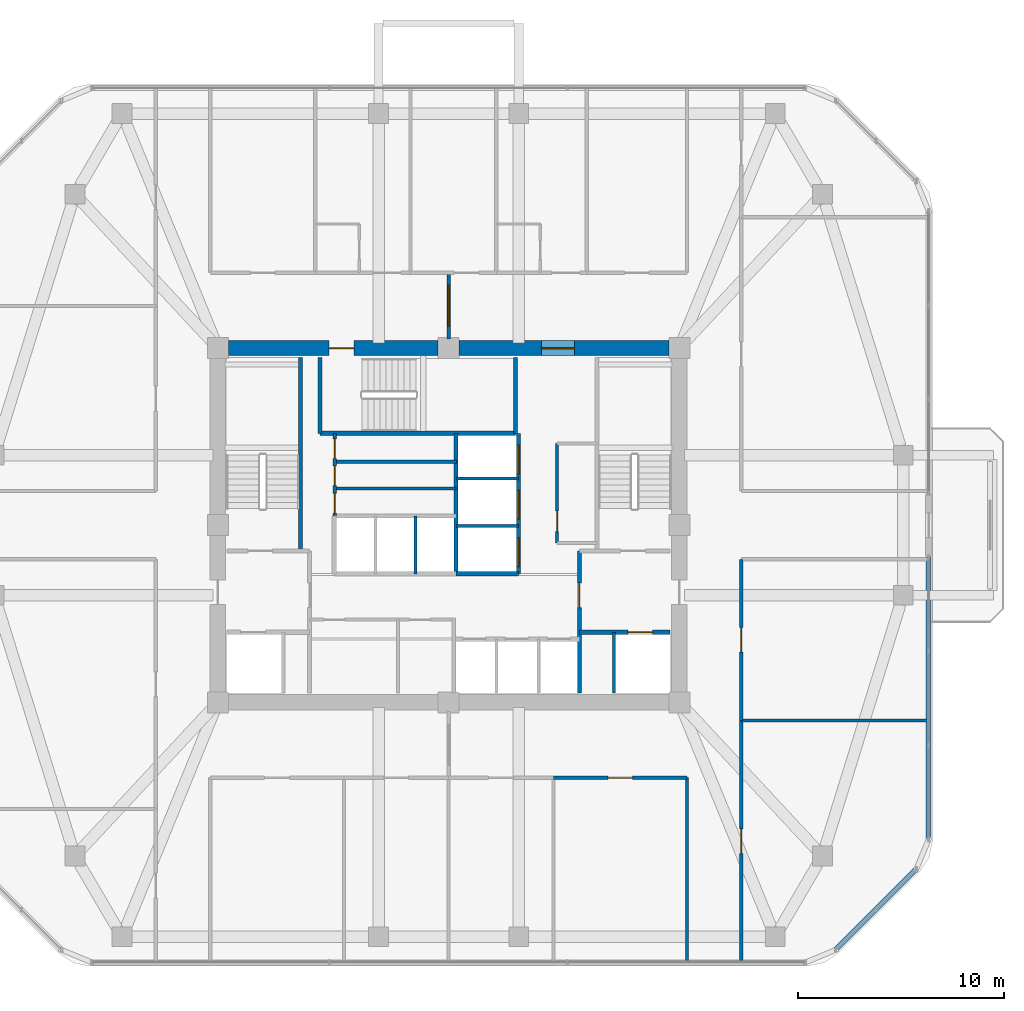
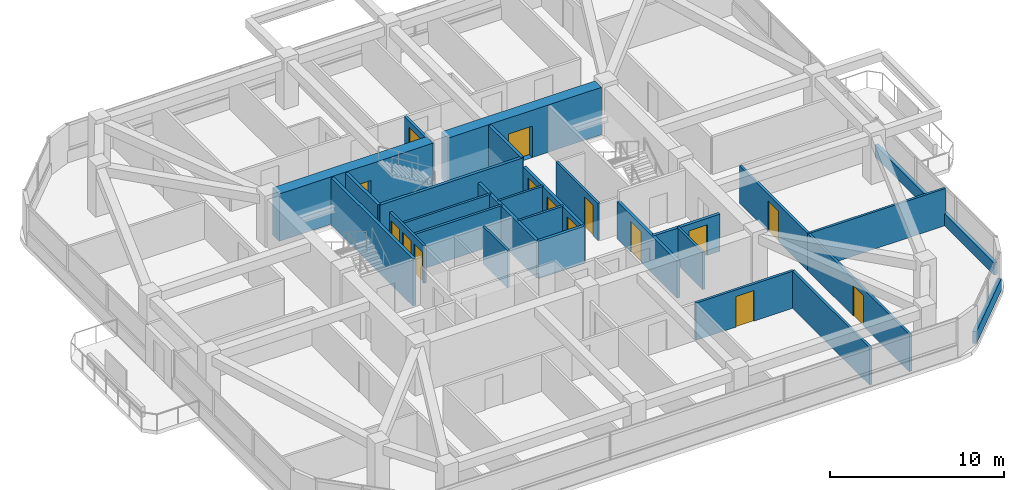
# One storey, part 9 of 13: 27 walls, 15 doors, 15 openings.
"""IFC4 building model written with IfcOpenShell, lengths in metres."""

from ifc_helpers import new_model, si_unit, derived_unit, direction, frame, frame_2d, origin, place, context, subcontext, project, spatial, rectangle, extrude, material, layer, layer_set, type_object, element, fill, save


model = new_model("IFC4")

# Units and contexts
model_context = context("Model", 3, precision=1e-05, world=origin(), true_north=direction((0.0, 1.0)))
body_context = subcontext(model_context, "Body", "Model", "MODEL_VIEW")
ifc_project = project(units=[si_unit("LENGTHUNIT", "METRE"), si_unit("AREAUNIT", "SQUARE_METRE"), si_unit("VOLUMEUNIT", "CUBIC_METRE"), si_unit("PLANEANGLEUNIT", "RADIAN"), si_unit("MASSUNIT", "GRAM", prefix="KILO"), derived_unit("THERMALTRANSMITTANCEUNIT", [(si_unit("POWERUNIT", "WATT"), 1), (si_unit("LENGTHUNIT", "METRE"), -2), (si_unit("THERMODYNAMICTEMPERATUREUNIT", "KELVIN"), -1)])], contexts=[model_context])

# Site, building, storey
site_placement = place(None, origin())
site = spatial("IfcSite", under=ifc_project, at=site_placement, CompositionType="ELEMENT")
building_placement = place(site_placement, origin())
building = spatial("IfcBuilding", under=site, at=building_placement, Name="Koralith Skygarden Medical Center", CompositionType="ELEMENT")
storey_placement = place(building_placement, frame((0.0, 0.0, 142.02001953125)))
storey = spatial("IfcBuildingStorey", under=building, at=storey_placement, Name="L36", CompositionType="ELEMENT", Elevation=142.02001953125)

# Wall, opening, door
ifc_material_1 = material(Name="Gypsum Board Partition")
ifc_layer_1 = layer(ifc_material_1, 0.14990234375)
ifc_layer_set_1 = layer_set([ifc_layer_1], Name="Gypsum Board Partition")
wall_type_1 = type_object("IfcWallType", Name="Clinical Acoustic Partition 150", PredefinedType="PARTITIONING", material=ifc_layer_set_1)
wall_1_placement = place(storey_placement, frame((42.27001953125, 25.0400390625, 0.0), z_axis=(0.0, 0.0, 1.0), x_axis=(0.0, 1.0, 0.0)))
wall_1 = element("IfcWall", 1, at=wall_1_placement, inside=storey, type_object=wall_type_1, Name="L36 Clinical Acoustic Partition 150 W-CORE-L36-ESUB-W", PredefinedType="PARTITIONING", context=body_context, shape_type="SweptSolid", body=[
    extrude(rectangle(XDim=4.820068359375, YDim=0.14990234375, at=frame_2d((2.41015625, 0.0))), origin(), (0.0, 0.0, 1.0), 2.60986328125),
])
opening_1_placement = place(wall_1_placement, frame((0.550048828125, 0.0, 0.0)))
opening_1 = element("IfcOpeningElement", 2, at=opening_1_placement, cuts=wall_1, Name="Opening D-SUP", PredefinedType="OPENING", context=body_context, shape_type="SweptSolid", body=[
    extrude(rectangle(XDim=1.0, YDim=2.14990234375, at=frame_2d((0.5, 1.074951171875))), frame((0.0, 0.0849609375, 0.0), z_axis=(0.0, -1.0, 0.0), x_axis=(1.0, 0.0, 0.0)), (0.0, 0.0, 1.0), 0.169921875),
])
ifc_material_2 = material(Name="Aluminium 6063-T6", Category="aluminium")
door_type_1 = type_object("IfcDoorType", Name="Clinical Support Door D-SUP 1000", OperationType="NOTDEFINED", PredefinedType="DOOR", material=ifc_material_2)
door_1_placement = place(opening_1_placement, origin())
door_1 = element("IfcDoor", 3, at=door_1_placement, inside=storey, type_object=door_type_1, Name="L36 Core Equipment Store Door", OperationType="SINGLE_SWING_LEFT", OverallHeight=2.14990234375, OverallWidth=1.0, PredefinedType="DOOR", context=body_context, shape_type="SweptSolid", body=[
    extrude(rectangle(XDim=1.0, YDim=2.14990234375, at=frame_2d((0.5, 1.074951171875))), frame((0.0, 0.02490234375, 0.0), z_axis=(0.0, -1.0, 0.0), x_axis=(1.0, 0.0, 0.0)), (0.0, 0.0, 1.0), 0.050048828125),
])
fill(opening_1, door_1)

# Walls
wall_2_placement = place(storey_placement, frame((31.47998046875, 28.97998046875, 0.0), z_axis=(0.0, 0.0, 1.0), x_axis=(1.0, 0.0, 0.0)))
element("IfcWall", 4, at=wall_2_placement, inside=storey, type_object=wall_type_1, Name="L36 Clinical Acoustic Partition 150 W-CORE-L36-FLEX-H1B", PredefinedType="PARTITIONING", context=body_context, shape_type="SweptSolid", body=[
    extrude(rectangle(XDim=5.89013671875, YDim=0.14990234375, at=frame_2d((2.945068359375, 0.0))), origin(), (0.0, 0.0, 1.0), 2.60986328125),
])
wall_3_placement = place(storey_placement, frame((51.2099609375, 16.424072265625, 0.0), z_axis=(0.0, 0.0, 1.0), x_axis=(1.0, 0.0, 0.0)))
element("IfcWall", 5, at=wall_3_placement, inside=storey, type_object=wall_type_1, Name="L36 Clinical Acoustic Partition 150 W-PART-L36-ES-01", PredefinedType="PARTITIONING", context=body_context, shape_type="SweptSolid", body=[
    extrude(rectangle(XDim=9.073974609375, YDim=0.14990234375, at=frame_2d((4.537109375, 0.0))), origin(), (0.0, 0.0, 1.0), 2.60986328125),
])
ifc_layer_2 = layer(ifc_material_1, 0.1650390625)
ifc_layer_set_2 = layer_set([ifc_layer_2], Name="Gypsum Board Partition")
wall_type_2 = type_object("IfcWallType", Name="Clinical Corridor Partition 165", PredefinedType="PARTITIONING", material=ifc_layer_set_2)
wall_4_placement = place(storey_placement, frame((48.570068359375, 4.699951171875, 0.0), z_axis=(0.0, 0.0, 1.0), x_axis=(0.0, 1.0, 0.0)))
element("IfcWall", 6, at=wall_4_placement, inside=storey, type_object=wall_type_2, Name="L36 Clinical Corridor Partition 165 W-HCOR-L36-SE", PredefinedType="PARTITIONING", context=body_context, shape_type="SweptSolid", body=[
    extrude(rectangle(XDim=8.93994140625, YDim=0.1650390625, at=frame_2d((4.469970703125, 0.0))), origin(), (0.0, 0.0, 1.0), 2.60986328125),
])

# Wall, opening, door
wall_5_placement = place(storey_placement, frame((42.0859375, 13.639892578125, 0.0), z_axis=(0.0, 0.0, 1.0), x_axis=(1.0, 0.0, 0.0)))
wall_5 = element("IfcWall", 7, at=wall_5_placement, inside=storey, type_object=wall_type_2, Name="L36 Clinical Corridor Partition 165 W-CORR-L36-S-04", PredefinedType="PARTITIONING", context=body_context, shape_type="SweptSolid", body=[
    extrude(rectangle(XDim=6.484130859375, YDim=0.1650390625, at=frame_2d((3.2421875, 0.0))), origin(), (0.0, 0.0, 1.0), 2.60986328125),
])
opening_2_placement = place(wall_5_placement, frame((2.64208984375, 0.0, 0.0)))
opening_2 = element("IfcOpeningElement", 8, at=opening_2_placement, cuts=wall_5, Name="Opening D-CLN", PredefinedType="OPENING", context=body_context, shape_type="SweptSolid", body=[
    extrude(rectangle(XDim=1.199951171875, YDim=2.14990234375, at=frame_2d((0.60009765625, 1.074951171875))), frame((0.0, 0.092529296875, 0.0), z_axis=(0.0, -1.0, 0.0), x_axis=(1.0, 0.0, 0.0)), (0.0, 0.0, 1.0), 0.18505859375),
])
door_type_2 = type_object("IfcDoorType", Name="Clinical Corridor Door D-CLN 1200", OperationType="NOTDEFINED", PredefinedType="DOOR", material=ifc_material_2)
door_2_placement = place(opening_2_placement, frame((1.199951171875, 0.0, 0.0), z_axis=(0.0, 0.0, 1.0), x_axis=(-1.0, 0.0, 0.0)))
door_2 = element("IfcDoor", 9, at=door_2_placement, inside=storey, type_object=door_type_2, Name="L36 Acute Nurse Station 09 Door", OperationType="SINGLE_SWING_RIGHT", OverallHeight=2.14990234375, OverallWidth=1.199951171875, PredefinedType="DOOR", context=body_context, shape_type="SweptSolid", body=[
    extrude(rectangle(XDim=1.199951171875, YDim=2.14990234375, at=frame_2d((0.60009765625, 1.074951171875))), frame((0.0, 0.02490234375, 0.0), z_axis=(0.0, -1.0, 0.0), x_axis=(1.0, 0.0, 0.0)), (0.0, 0.0, 1.0), 0.050048828125),
])
fill(opening_2, door_2)

wall_6_placement = place(storey_placement, frame((51.2099609375, 4.699951171875, 0.0), z_axis=(0.0, 0.0, 1.0), x_axis=(0.0, 1.0, 0.0)))
wall_6 = element("IfcWall", 10, at=wall_6_placement, inside=storey, type_object=wall_type_2, Name="L36 Clinical Corridor Partition 165 W-CORR-L36-ES-01", PredefinedType="PARTITIONING", context=body_context, shape_type="SweptSolid", body=[
    extrude(rectangle(XDim=11.72412109375, YDim=0.1650390625, at=frame_2d((5.862060546875, 0.0))), origin(), (0.0, 0.0, 1.0), 2.60986328125),
])
opening_3_placement = place(wall_6_placement, frame((5.261962890625, 0.0, 0.0)))
opening_3 = element("IfcOpeningElement", 11, at=opening_3_placement, cuts=wall_6, Name="Opening D-CLN", PredefinedType="OPENING", context=body_context, shape_type="SweptSolid", body=[
    extrude(rectangle(XDim=1.199951171875, YDim=2.14990234375, at=frame_2d((0.60009765625, 1.074951171875))), frame((0.0, 0.092529296875, 0.0), z_axis=(0.0, -1.0, 0.0), x_axis=(1.0, 0.0, 0.0)), (0.0, 0.0, 1.0), 0.18505859375),
])
door_3_placement = place(opening_3_placement, origin())
door_3 = element("IfcDoor", 12, at=door_3_placement, inside=storey, type_object=door_type_2, Name="L36 Clinical Consultation Office 14 Door", OperationType="SINGLE_SWING_LEFT", OverallHeight=2.14990234375, OverallWidth=1.199951171875, PredefinedType="DOOR", context=body_context, shape_type="SweptSolid", body=[
    extrude(rectangle(XDim=1.199951171875, YDim=2.14990234375, at=frame_2d((0.60009765625, 1.074951171875))), frame((0.0, 0.02490234375, 0.0), z_axis=(0.0, -1.0, 0.0), x_axis=(1.0, 0.0, 0.0)), (0.0, 0.0, 1.0), 0.050048828125),
])
fill(opening_3, door_3)

wall_7_placement = place(storey_placement, frame((51.2099609375, 16.424072265625, 0.0), z_axis=(0.0, 0.0, 1.0), x_axis=(0.0, 1.0, 0.0)))
wall_7 = element("IfcWall", 13, at=wall_7_placement, inside=storey, type_object=wall_type_2, Name="L36 Clinical Corridor Partition 165 W-CORR-L36-ES-02", PredefinedType="PARTITIONING", context=body_context, shape_type="SweptSolid", body=[
    extrude(rectangle(XDim=7.81591796875, YDim=0.1650390625, at=frame_2d((3.907958984375, 0.0))), origin(), (0.0, 0.0, 1.0), 2.60986328125),
])
opening_4_placement = place(wall_7_placement, frame((3.30810546875, 0.0, 0.0)))
opening_4 = element("IfcOpeningElement", 14, at=opening_4_placement, cuts=wall_7, Name="Opening D-CLN", PredefinedType="OPENING", context=body_context, shape_type="SweptSolid", body=[
    extrude(rectangle(XDim=1.199951171875, YDim=2.14990234375, at=frame_2d((0.60009765625, 1.074951171875))), frame((0.0, 0.092529296875, 0.0), z_axis=(0.0, -1.0, 0.0), x_axis=(1.0, 0.0, 0.0)), (0.0, 0.0, 1.0), 0.18505859375),
])
door_4_placement = place(opening_4_placement, origin())
door_4 = element("IfcDoor", 15, at=door_4_placement, inside=storey, type_object=door_type_2, Name="L36 Procedure and Minor Treatment Room 15 Door", OperationType="SINGLE_SWING_RIGHT", OverallHeight=2.14990234375, OverallWidth=1.199951171875, PredefinedType="DOOR", context=body_context, shape_type="SweptSolid", body=[
    extrude(rectangle(XDim=1.199951171875, YDim=2.14990234375, at=frame_2d((0.60009765625, 1.074951171875))), frame((0.0, 0.02490234375, 0.0), z_axis=(0.0, -1.0, 0.0), x_axis=(1.0, 0.0, 0.0)), (0.0, 0.0, 1.0), 0.050048828125),
])
fill(opening_4, door_4)

ifc_layer_3 = layer(ifc_material_1, 0.199951171875)
ifc_layer_set_3 = layer_set([ifc_layer_3], Name="Gypsum Board Partition")
wall_type_3 = type_object("IfcWallType", Name="Fire Shaft Wall 200", PredefinedType="SOLIDWALL", material=ifc_layer_set_3)
wall_8_placement = place(storey_placement, frame((43.35009765625, 20.699951171875, 0.0), z_axis=(0.0, 0.0, 1.0), x_axis=(1.0, 0.0, 0.0)))
wall_8 = element("IfcWall", 16, at=wall_8_placement, inside=storey, type_object=wall_type_3, Name="L36 Fire Shaft Wall 200 W-CORE-L36-FF2-N", PredefinedType="SOLIDWALL", context=body_context, shape_type="SweptSolid", body=[
    extrude(rectangle(XDim=4.39990234375, YDim=0.199951171875, at=frame_2d((2.199951171875, 0.0))), origin(), (0.0, 0.0, 1.0), 2.60986328125),
])
opening_5_placement = place(wall_8_placement, frame((2.35009765625, 0.0, 0.0)))
opening_5 = element("IfcOpeningElement", 17, at=opening_5_placement, cuts=wall_8, Name="Opening LD-FF", PredefinedType="OPENING", context=body_context, shape_type="SweptSolid", body=[
    extrude(rectangle(XDim=1.199951171875, YDim=2.14990234375, at=frame_2d((0.60009765625, 1.074951171875))), frame((0.0, 0.10986328125, 0.0), z_axis=(0.0, -1.0, 0.0), x_axis=(1.0, 0.0, 0.0)), (0.0, 0.0, 1.0), 0.219970703125),
])
ifc_material_3 = material(Name="Steel ASTM A500 Grade C", Category="steel")
door_type_3 = type_object("IfcDoorType", Name="Fire Lift Sliding Landing Door LD-FF 1200", OperationType="NOTDEFINED", PredefinedType="DOOR", material=ifc_material_3)
door_5_placement = place(opening_5_placement, origin())
door_5 = element("IfcDoor", 18, at=door_5_placement, inside=storey, type_object=door_type_3, Name="L36 Fire Service Elevator FF2 Landing Door", OperationType="SLIDING_TO_RIGHT", OverallHeight=2.14990234375, OverallWidth=1.199951171875, PredefinedType="DOOR", context=body_context, shape_type="SweptSolid", body=[
    extrude(rectangle(XDim=1.199951171875, YDim=2.14990234375, at=frame_2d((0.60009765625, 1.074951171875))), frame((0.0, 0.02490234375, 0.0), z_axis=(0.0, -1.0, 0.0), x_axis=(1.0, 0.0, 0.0)), (0.0, 0.0, 1.0), 0.050048828125),
])
fill(opening_5, door_5)

wall_9_placement = place(storey_placement, frame((43.35009765625, 17.75, 0.0), z_axis=(0.0, 0.0, 1.0), x_axis=(0.0, 1.0, 0.0)))
wall_9 = element("IfcWall", 19, at=wall_9_placement, inside=storey, type_object=wall_type_3, Name="L36 Fire Shaft Wall 200 W-CORE-L36-FSAEE-W", PredefinedType="SOLIDWALL", context=body_context, shape_type="SweptSolid", body=[
    extrude(rectangle(XDim=6.89990234375, YDim=0.199951171875, at=frame_2d((3.449951171875, 0.0))), origin(), (0.0, 0.0, 1.0), 2.60986328125),
])
opening_6_placement = place(wall_9_placement, frame((4.14990234375, 0.0, 0.0)))
opening_6 = element("IfcOpeningElement", 20, at=opening_6_placement, cuts=wall_9, Name="Opening D-ST60", PredefinedType="OPENING", context=body_context, shape_type="SweptSolid", body=[
    extrude(rectangle(XDim=1.199951171875, YDim=2.14990234375, at=frame_2d((0.60009765625, 1.074951171875))), frame((0.0, 0.10986328125, 0.0), z_axis=(0.0, -1.0, 0.0), x_axis=(1.0, 0.0, 0.0)), (0.0, 0.0, 1.0), 0.219970703125),
])
door_type_4 = type_object("IfcDoorType", Name="Smokeproof Stair Fire Door FD60S 1200", OperationType="NOTDEFINED", PredefinedType="DOOR", material=ifc_material_3)
door_6_placement = place(opening_6_placement, frame((1.199951171875, 0.0, 0.0), z_axis=(0.0, 0.0, 1.0), x_axis=(-1.0, 0.0, 0.0)))
door_6 = element("IfcDoor", 21, at=door_6_placement, inside=storey, type_object=door_type_4, Name="L36 East Firefighting Lobby Inner Fire Door", OperationType="SINGLE_SWING_RIGHT", OverallHeight=2.14990234375, OverallWidth=1.199951171875, PredefinedType="DOOR", context=body_context, shape_type="SweptSolid", body=[
    extrude(rectangle(XDim=1.199951171875, YDim=2.14990234375, at=frame_2d((0.60009765625, 1.074951171875))), frame((0.0, 0.02490234375, 0.0), z_axis=(0.0, -1.0, 0.0), x_axis=(1.0, 0.0, 0.0)), (0.0, 0.0, 1.0), 0.050048828125),
])
fill(opening_6, door_6)

# Walls
wall_10_placement = place(storey_placement, frame((37.35009765625, 23.5400390625, 0.0), z_axis=(0.0, 0.0, 1.0), x_axis=(0.0, 1.0, 0.0)))
element("IfcWall", 22, at=wall_10_placement, inside=storey, type_object=wall_type_3, Name="L36 Fire Shaft Wall 200 W-CORE-L36-SV-W", PredefinedType="SOLIDWALL", context=body_context, shape_type="SweptSolid", body=[
    extrude(rectangle(XDim=6.820068359375, YDim=0.199951171875, at=frame_2d((3.41015625, 0.0))), origin(), (0.0, 0.0, 1.0), 2.60986328125),
])
wall_11_placement = place(storey_placement, frame((37.35009765625, 23.5400390625, 0.0), z_axis=(0.0, 0.0, 1.0), x_axis=(1.0, 0.0, 0.0)))
element("IfcWall", 23, at=wall_11_placement, inside=storey, type_object=wall_type_3, Name="L36 Fire Shaft Wall 200 W-CORE-L36-SV-S", PredefinedType="SOLIDWALL", context=body_context, shape_type="SweptSolid", body=[
    extrude(rectangle(XDim=3.0498046875, YDim=0.199951171875, at=frame_2d((1.52490234375, 0.0))), origin(), (0.0, 0.0, 1.0), 2.60986328125),
])

# Wall, openings, doors
wall_12_placement = place(storey_placement, frame((40.39990234375, 23.5400390625, 0.0), z_axis=(0.0, 0.0, 1.0), x_axis=(0.0, 1.0, 0.0)))
wall_12 = element("IfcWall", 24, at=wall_12_placement, inside=storey, type_object=wall_type_3, Name="L36 Fire Shaft Wall 200 W-CORE-L36-SV-E", PredefinedType="SOLIDWALL", context=body_context, shape_type="SweptSolid", body=[
    extrude(rectangle(XDim=6.820068359375, YDim=0.199951171875, at=frame_2d((3.41015625, 0.0))), origin(), (0.0, 0.0, 1.0), 2.60986328125),
])
opening_7_placement = place(wall_12_placement, frame((0.35009765625, 0.0, 0.0)))
opening_7 = element("IfcOpeningElement", 25, at=opening_7_placement, cuts=wall_12, Name="Opening LD-SV", PredefinedType="OPENING", context=body_context, shape_type="SweptSolid", body=[
    extrude(rectangle(XDim=1.39990234375, YDim=2.199951171875, at=frame_2d((0.699951171875, 1.10009765625))), frame((0.0, 0.10986328125, 0.0), z_axis=(0.0, -1.0, 0.0), x_axis=(1.0, 0.0, 0.0)), (0.0, 0.0, 1.0), 0.219970703125),
])
opening_8_placement = place(wall_12_placement, frame((2.64990234375, 0.0, 0.0)))
opening_8 = element("IfcOpeningElement", 26, at=opening_8_placement, cuts=wall_12, Name="Opening LD-SV", PredefinedType="OPENING", context=body_context, shape_type="SweptSolid", body=[
    extrude(rectangle(XDim=1.39990234375, YDim=2.199951171875, at=frame_2d((0.699951171875, 1.10009765625))), frame((0.0, 0.10986328125, 0.0), z_axis=(0.0, -1.0, 0.0), x_axis=(1.0, 0.0, 0.0)), (0.0, 0.0, 1.0), 0.219970703125),
])
opening_9_placement = place(wall_12_placement, frame((4.85009765625, 0.0, 0.0)))
opening_9 = element("IfcOpeningElement", 27, at=opening_9_placement, cuts=wall_12, Name="Opening LD-SV", PredefinedType="OPENING", context=body_context, shape_type="SweptSolid", body=[
    extrude(rectangle(XDim=1.39990234375, YDim=2.199951171875, at=frame_2d((0.699951171875, 1.10009765625))), frame((0.0, 0.10986328125, 0.0), z_axis=(0.0, -1.0, 0.0), x_axis=(1.0, 0.0, 0.0)), (0.0, 0.0, 1.0), 0.219970703125),
])
door_type_5 = type_object("IfcDoorType", Name="Bed Lift Sliding Landing Door LD-SV 1400", OperationType="NOTDEFINED", PredefinedType="DOOR", material=ifc_material_3)
door_7_placement = place(opening_7_placement, origin())
door_7 = element("IfcDoor", 28, at=door_7_placement, inside=storey, type_object=door_type_5, Name="L36 Bed Elevator BD1 Landing Door", OperationType="SLIDING_TO_LEFT", OverallHeight=2.199951171875, OverallWidth=1.39990234375, PredefinedType="DOOR", context=body_context, shape_type="SweptSolid", body=[
    extrude(rectangle(XDim=1.39990234375, YDim=2.199951171875, at=frame_2d((0.699951171875, 1.10009765625))), frame((0.0, 0.02490234375, 0.0), z_axis=(0.0, -1.0, 0.0), x_axis=(1.0, 0.0, 0.0)), (0.0, 0.0, 1.0), 0.050048828125),
])
fill(opening_7, door_7)
door_8_placement = place(opening_8_placement, origin())
door_8 = element("IfcDoor", 29, at=door_8_placement, inside=storey, type_object=door_type_5, Name="L36 Service Elevator BD2 Landing Door", OperationType="SLIDING_TO_LEFT", OverallHeight=2.199951171875, OverallWidth=1.39990234375, PredefinedType="DOOR", context=body_context, shape_type="SweptSolid", body=[
    extrude(rectangle(XDim=1.39990234375, YDim=2.199951171875, at=frame_2d((0.699951171875, 1.10009765625))), frame((0.0, 0.02490234375, 0.0), z_axis=(0.0, -1.0, 0.0), x_axis=(1.0, 0.0, 0.0)), (0.0, 0.0, 1.0), 0.050048828125),
])
fill(opening_8, door_8)
door_9_placement = place(opening_9_placement, origin())
door_9 = element("IfcDoor", 30, at=door_9_placement, inside=storey, type_object=door_type_5, Name="L36 Trauma Elevator TR1 Landing Door", OperationType="SLIDING_TO_RIGHT", OverallHeight=2.199951171875, OverallWidth=1.39990234375, PredefinedType="DOOR", context=body_context, shape_type="SweptSolid", body=[
    extrude(rectangle(XDim=1.39990234375, YDim=2.199951171875, at=frame_2d((0.699951171875, 1.10009765625))), frame((0.0, 0.02490234375, 0.0), z_axis=(0.0, -1.0, 0.0), x_axis=(1.0, 0.0, 0.0)), (0.0, 0.0, 1.0), 0.050048828125),
])
fill(opening_9, door_9)

# Wall, opening, door
ifc_layer_4 = layer(ifc_material_1, 0.179931640625)
ifc_layer_set_4 = layer_set([ifc_layer_4], Name="Gypsum Board Partition")
wall_type_4 = type_object("IfcWallType", Name="Group I-2 Smoke Barrier Wall 180", PredefinedType="PARTITIONING", material=ifc_layer_set_4)
wall_13_placement = place(storey_placement, frame((37.0, 34.949951171875, 0.0), z_axis=(0.0, 0.0, 1.0), x_axis=(0.0, 1.0, 0.0)))
wall_13 = element("IfcWall", 31, at=wall_13_placement, inside=storey, type_object=wall_type_4, Name="L36 Group I-2 Smoke Barrier Wall 180 W-SMK-L36-N", PredefinedType="PARTITIONING", context=body_context, shape_type="SweptSolid", body=[
    extrude(rectangle(XDim=3.2099609375, YDim=0.179931640625, at=frame_2d((1.60498046875, 0.0))), origin(), (0.0, 0.0, 1.0), 2.60986328125),
])
opening_10_placement = place(wall_13_placement, frame((0.60498046875, 0.0, 0.0)))
opening_10 = element("IfcOpeningElement", 32, at=opening_10_placement, cuts=wall_13, Name="Opening D-SMK", PredefinedType="OPENING", context=body_context, shape_type="SweptSolid", body=[
    extrude(rectangle(XDim=2.0, YDim=2.199951171875, at=frame_2d((1.0, 1.10009765625))), frame((0.0, 0.099853515625, 0.0), z_axis=(0.0, -1.0, 0.0), x_axis=(1.0, 0.0, 0.0)), (0.0, 0.0, 1.0), 0.199951171875),
])
door_type_6 = type_object("IfcDoorType", Name="Cross-Corridor Double Smoke Door FD60S 2000", OperationType="NOTDEFINED", PredefinedType="DOOR", material=ifc_material_3)
door_10_placement = place(opening_10_placement, origin())
door_10 = element("IfcDoor", 33, at=door_10_placement, inside=storey, type_object=door_type_6, Name="L36 N Smoke Compartment Cross-Corridor Door", OperationType="DOUBLE_DOOR_SINGLE_SWING", OverallHeight=2.199951171875, OverallWidth=2.0, PredefinedType="DOOR", context=body_context, shape_type="SweptSolid", body=[
    extrude(rectangle(XDim=2.0, YDim=2.199951171875, at=frame_2d((1.0, 1.10009765625))), frame((0.0, 0.02490234375, 0.0), z_axis=(0.0, -1.0, 0.0), x_axis=(1.0, 0.0, 0.0)), (0.0, 0.0, 1.0), 0.050048828125),
])
fill(opening_10, door_10)

# Walls
ifc_material_4 = material(Name="Warm Oolitic Limestone Cladding", Category="masonry")
ifc_layer_5 = layer(ifc_material_4, 0.239990234375)
ifc_layer_set_5 = layer_set([ifc_layer_5], Name="Warm Oolitic Limestone Cladding")
wall_type_5 = type_object("IfcWallType", Name="Limestone Spandrel Sill Backup Wall 240", PredefinedType="SOLIDWALL", material=ifc_layer_set_5)
wall_14_placement = place(storey_placement, frame((55.780029296875, 5.281005859375, 0.0), z_axis=(0.0, 0.0, 1.0), x_axis=(0.707084777957, 0.707128783731, 0.0)))
element("IfcWall", 34, at=wall_14_placement, inside=storey, type_object=wall_type_5, Name="L36 Sill Spandrel SE", PredefinedType="SOLIDWALL", context=body_context, shape_type="SweptSolid", body=[
    extrude(rectangle(XDim=5.5478515625, YDim=0.239990234375, at=frame_2d((2.77392578125, 0.0))), origin(), (0.0, 0.0, 1.0), 0.85009765625),
])
wall_15_placement = place(storey_placement, frame((60.303955078125, 10.655029296875, 0.0), z_axis=(0.0, 0.0, 1.0), x_axis=(0.0, 1.0, 0.0)))
element("IfcWall", 35, at=wall_15_placement, inside=storey, type_object=wall_type_5, Name="L36 Sill Spandrel E-L", PredefinedType="SOLIDWALL", context=body_context, shape_type="SweptSolid", body=[
    extrude(rectangle(XDim=13.705078125, YDim=0.239990234375, at=frame_2d((6.8525390625, 0.0))), origin(), (0.0, 0.0, 1.0), 0.85009765625),
])

# Wall, opening, door
ifc_material_5 = material(Name="Concrete C70/85", Category="concrete")
ifc_layer_6 = layer(ifc_material_5, 0.75)
ifc_layer_set_6 = layer_set([ifc_layer_6], Name="Concrete C70/85")
wall_type_6 = type_object("IfcWallType", Name="Mid Core Shear Wall 750", PredefinedType="SHEAR", material=ifc_layer_set_6)
wall_16_placement = place(storey_placement, frame((47.695068359375, 34.5, 0.0), z_axis=(0.0, 0.0, 1.0), x_axis=(-1.0, 0.0, 0.0)))
wall_16 = element("IfcWall", 36, at=wall_16_placement, inside=storey, type_object=wall_type_6, Name="L36 Core Shear Wall Segment 5", PredefinedType="SHEAR", context=body_context, shape_type="SweptSolid", body=[
    extrude(rectangle(XDim=10.190185546875, YDim=0.75, at=frame_2d((5.09521484375, 0.0))), origin(), (0.0, 0.0, 1.0), 3.320068359375),
])
opening_11_placement = place(wall_16_placement, frame((4.594970703125, 0.0, 0.0)))
opening_11 = element("IfcOpeningElement", 37, at=opening_11_placement, cuts=wall_16, Name="Opening D-DBL", PredefinedType="OPENING", context=body_context, shape_type="SweptSolid", body=[
    extrude(rectangle(XDim=1.60009765625, YDim=2.199951171875, at=frame_2d((0.800048828125, 1.10009765625))), frame((0.0, 0.385009765625, 0.0), z_axis=(0.0, -1.0, 0.0), x_axis=(1.0, 0.0, 0.0)), (0.0, 0.0, 1.0), 0.77001953125),
])
door_type_7 = type_object("IfcDoorType", Name="Double Clinical Suite Door D-DBL 1600", OperationType="NOTDEFINED", PredefinedType="DOOR", material=ifc_material_2)
door_11_placement = place(opening_11_placement, frame((1.60009765625, 0.0, 0.0), z_axis=(0.0, 0.0, 1.0), x_axis=(-1.0, 0.0, 0.0)))
door_11 = element("IfcDoor", 38, at=door_11_placement, inside=storey, type_object=door_type_7, Name="L36 North-East Corridor to Elevator Lobby Door", OperationType="DOUBLE_DOOR_SINGLE_SWING", OverallHeight=2.199951171875, OverallWidth=1.60009765625, PredefinedType="DOOR", context=body_context, shape_type="SweptSolid", body=[
    extrude(rectangle(XDim=1.60009765625, YDim=2.199951171875, at=frame_2d((0.800048828125, 1.10009765625))), frame((0.0, 0.02490234375, 0.0), z_axis=(0.0, -1.0, 0.0), x_axis=(1.0, 0.0, 0.0)), (0.0, 0.0, 1.0), 0.050048828125),
])
fill(opening_11, door_11)

wall_17_placement = place(storey_placement, frame((36.4951171875, 34.5, 0.0), z_axis=(0.0, 0.0, 1.0), x_axis=(-1.0, 0.0, 0.0)))
wall_17 = element("IfcWall", 39, at=wall_17_placement, inside=storey, type_object=wall_type_6, Name="L36 Core Shear Wall Segment 6", PredefinedType="SHEAR", context=body_context, shape_type="SweptSolid", body=[
    extrude(rectangle(XDim=10.190185546875, YDim=0.75, at=frame_2d((5.09521484375, 0.0))), origin(), (0.0, 0.0, 1.0), 3.320068359375),
])
opening_12_placement = place(wall_17_placement, frame((4.094970703125, 0.0, 0.0)))
opening_12 = element("IfcOpeningElement", 40, at=opening_12_placement, cuts=wall_17, Name="Opening D-ST60", PredefinedType="OPENING", context=body_context, shape_type="SweptSolid", body=[
    extrude(rectangle(XDim=1.199951171875, YDim=2.14990234375, at=frame_2d((0.60009765625, 1.074951171875))), frame((0.0, 0.385009765625, 0.0), z_axis=(0.0, -1.0, 0.0), x_axis=(1.0, 0.0, 0.0)), (0.0, 0.0, 1.0), 0.77001953125),
])
door_12_placement = place(opening_12_placement, frame((1.199951171875, 0.0, 0.0), z_axis=(0.0, 0.0, 1.0), x_axis=(-1.0, 0.0, 0.0)))
door_12 = element("IfcDoor", 41, at=door_12_placement, inside=storey, type_object=door_type_4, Name="L36 Exit Stair ST3 Fire Door", OperationType="SINGLE_SWING_LEFT", OverallHeight=2.14990234375, OverallWidth=1.199951171875, PredefinedType="DOOR", context=body_context, shape_type="SweptSolid", body=[
    extrude(rectangle(XDim=1.199951171875, YDim=2.14990234375, at=frame_2d((0.60009765625, 1.074951171875))), frame((0.0, 0.02490234375, 0.0), z_axis=(0.0, -1.0, 0.0), x_axis=(1.0, 0.0, 0.0)), (0.0, 0.0, 1.0), 0.050048828125),
])
fill(opening_12, door_12)

# Wall, openings, doors
ifc_layer_7 = layer(ifc_material_1, 0.1650390625)
ifc_layer_set_7 = layer_set([ifc_layer_7], Name="Gypsum Board Partition")
wall_type_7 = type_object("IfcWallType", Name="Plumbing Wet Wall 165", PredefinedType="PLUMBINGWALL", material=ifc_layer_set_7)
wall_18_placement = place(storey_placement, frame((31.47998046875, 26.320068359375, 0.0), z_axis=(0.0, 0.0, 1.0), x_axis=(0.0, 1.0, 0.0)))
wall_18 = element("IfcWall", 42, at=wall_18_placement, inside=storey, type_object=wall_type_7, Name="L36 Plumbing Wet Wall 165 W-CORE-L36-FLEX-W", PredefinedType="PLUMBINGWALL", context=body_context, shape_type="SweptSolid", body=[
    extrude(rectangle(XDim=4.0400390625, YDim=0.1650390625, at=frame_2d((2.02001953125, 0.0))), origin(), (0.0, 0.0, 1.0), 2.60986328125),
])
opening_13_placement = place(wall_18_placement, frame((0.179931640625, 0.0, 0.0)))
opening_13 = element("IfcOpeningElement", 43, at=opening_13_placement, cuts=wall_18, Name="Opening D-WC", PredefinedType="OPENING", context=body_context, shape_type="SweptSolid", body=[
    extrude(rectangle(XDim=0.949951171875, YDim=2.10009765625, at=frame_2d((0.47509765625, 1.050048828125))), frame((0.0, 0.092529296875, 0.0), z_axis=(0.0, -1.0, 0.0), x_axis=(1.0, 0.0, 0.0)), (0.0, 0.0, 1.0), 0.18505859375),
])
opening_14_placement = place(wall_18_placement, frame((1.5, 0.0, 0.0)))
opening_14 = element("IfcOpeningElement", 44, at=opening_14_placement, cuts=wall_18, Name="Opening D-WC", PredefinedType="OPENING", context=body_context, shape_type="SweptSolid", body=[
    extrude(rectangle(XDim=0.949951171875, YDim=2.10009765625, at=frame_2d((0.47509765625, 1.050048828125))), frame((0.0, 0.092529296875, 0.0), z_axis=(0.0, -1.0, 0.0), x_axis=(1.0, 0.0, 0.0)), (0.0, 0.0, 1.0), 0.18505859375),
])
opening_15_placement = place(wall_18_placement, frame((2.820068359375, 0.0, 0.0)))
opening_15 = element("IfcOpeningElement", 45, at=opening_15_placement, cuts=wall_18, Name="Opening D-WC", PredefinedType="OPENING", context=body_context, shape_type="SweptSolid", body=[
    extrude(rectangle(XDim=0.949951171875, YDim=2.10009765625, at=frame_2d((0.47509765625, 1.050048828125))), frame((0.0, 0.092529296875, 0.0), z_axis=(0.0, -1.0, 0.0), x_axis=(1.0, 0.0, 0.0)), (0.0, 0.0, 1.0), 0.18505859375),
])
door_type_8 = type_object("IfcDoorType", Name="Accessible Toilet Door D-WC 950", OperationType="NOTDEFINED", PredefinedType="DOOR", material=ifc_material_2)
door_13_placement = place(opening_13_placement, frame((0.949951171875, 0.0, 0.0), z_axis=(0.0, 0.0, 1.0), x_axis=(-1.0, 0.0, 0.0)))
door_13 = element("IfcDoor", 46, at=door_13_placement, inside=storey, type_object=door_type_8, Name="L36 Core Accessible WC Door", OperationType="SINGLE_SWING_LEFT", OverallHeight=2.10009765625, OverallWidth=0.949951171875, PredefinedType="DOOR", context=body_context, shape_type="SweptSolid", body=[
    extrude(rectangle(XDim=0.949951171875, YDim=2.10009765625, at=frame_2d((0.47509765625, 1.050048828125))), frame((0.0, 0.02490234375, 0.0), z_axis=(0.0, -1.0, 0.0), x_axis=(1.0, 0.0, 0.0)), (0.0, 0.0, 1.0), 0.050048828125),
])
fill(opening_13, door_13)
door_14_placement = place(opening_14_placement, frame((0.949951171875, 0.0, 0.0), z_axis=(0.0, 0.0, 1.0), x_axis=(-1.0, 0.0, 0.0)))
door_14 = element("IfcDoor", 47, at=door_14_placement, inside=storey, type_object=door_type_8, Name="L36 Staff Pantry Door", OperationType="SINGLE_SWING_LEFT", OverallHeight=2.10009765625, OverallWidth=0.949951171875, PredefinedType="DOOR", context=body_context, shape_type="SweptSolid", body=[
    extrude(rectangle(XDim=0.949951171875, YDim=2.10009765625, at=frame_2d((0.47509765625, 1.050048828125))), frame((0.0, 0.02490234375, 0.0), z_axis=(0.0, -1.0, 0.0), x_axis=(1.0, 0.0, 0.0)), (0.0, 0.0, 1.0), 0.050048828125),
])
fill(opening_14, door_14)
door_15_placement = place(opening_15_placement, frame((0.949951171875, 0.0, 0.0), z_axis=(0.0, 0.0, 1.0), x_axis=(-1.0, 0.0, 0.0)))
door_15 = element("IfcDoor", 48, at=door_15_placement, inside=storey, type_object=door_type_8, Name="L36 IT Comms Door", OperationType="SINGLE_SWING_RIGHT", OverallHeight=2.10009765625, OverallWidth=0.949951171875, PredefinedType="DOOR", context=body_context, shape_type="SweptSolid", body=[
    extrude(rectangle(XDim=0.949951171875, YDim=2.10009765625, at=frame_2d((0.47509765625, 1.050048828125))), frame((0.0, 0.02490234375, 0.0), z_axis=(0.0, -1.0, 0.0), x_axis=(1.0, 0.0, 0.0)), (0.0, 0.0, 1.0), 0.050048828125),
])
fill(opening_15, door_15)

# Walls
wall_19_placement = place(storey_placement, frame((31.47998046875, 27.679931640625, 0.0), z_axis=(0.0, 0.0, 1.0), x_axis=(1.0, 0.0, 0.0)))
element("IfcWall", 49, at=wall_19_placement, inside=storey, type_object=wall_type_7, Name="L36 Plumbing Wet Wall 165 W-CORE-L36-FLEX-H1A", PredefinedType="PLUMBINGWALL", context=body_context, shape_type="SweptSolid", body=[
    extrude(rectangle(XDim=5.8701171875, YDim=0.1650390625, at=frame_2d((2.93505859375, 0.0))), origin(), (0.0, 0.0, 1.0), 2.60986328125),
])
ifc_layer_8 = layer(ifc_material_1, 0.14990234375)
ifc_layer_set_8 = layer_set([ifc_layer_8], Name="Gypsum Board Partition")
wall_type_8 = type_object("IfcWallType", Name="Shaft Partition Wall 150", PredefinedType="PARTITIONING", material=ifc_layer_set_8)
wall_20_placement = place(storey_placement, frame((45.02001953125, 17.75, 0.0), z_axis=(0.0, 0.0, 1.0), x_axis=(0.0, 1.0, 0.0)))
element("IfcWall", 50, at=wall_20_placement, inside=storey, type_object=wall_type_8, Name="L36 Shaft Partition Wall 150 W-CORE-L36-RSRE-DIV", PredefinedType="PARTITIONING", context=body_context, shape_type="SweptSolid", body=[
    extrude(rectangle(XDim=2.949951171875, YDim=0.14990234375, at=frame_2d((1.47509765625, 0.0))), origin(), (0.0, 0.0, 1.0), 2.60986328125),
])
wall_21_placement = place(storey_placement, frame((35.39990234375, 23.5400390625, 0.0), z_axis=(0.0, 0.0, 1.0), x_axis=(0.0, 1.0, 0.0)))
element("IfcWall", 51, at=wall_21_placement, inside=storey, type_object=wall_type_8, Name="L36 Shaft Partition Wall 150 W-CORE-L36-PH-D2", PredefinedType="PARTITIONING", context=body_context, shape_type="SweptSolid", body=[
    extrude(rectangle(XDim=2.81005859375, YDim=0.14990234375, at=frame_2d((1.405029296875, 0.0))), origin(), (0.0, 0.0, 1.0), 2.60986328125),
])
for number, where, z_axis, x_axis, name in (
    (52, (37.3701171875, 25.8701171875, 0.0), (0.0, 0.0, 1.0), (1.0, 0.0, 0.0), "L36 Shaft Partition Wall 150 W-CORE-L36-SV-D1"),
    (53, (37.3701171875, 28.169921875, 0.0), (0.0, 0.0, 1.0), (1.0, 0.0, 0.0), "L36 Shaft Partition Wall 150 W-CORE-L36-SV-D2"),
):
    element("IfcWall", number, at=place(storey_placement, frame(where, z_axis=z_axis, x_axis=x_axis)), inside=storey, type_object=wall_type_8, Name=name, PredefinedType="PARTITIONING", context=body_context, shape_type="SweptSolid", body=[
        extrude(rectangle(XDim=3.009765625, YDim=0.14990234375, at=frame_2d((1.5048828125, 0.0))), origin(), (0.0, 0.0, 1.0), 2.60986328125),
    ])
ifc_material_6 = material(Name="Concrete C45/55", Category="concrete")
ifc_layer_9 = layer(ifc_material_6, 0.199951171875)
ifc_layer_set_9 = layer_set([ifc_layer_9], Name="Concrete C45/55")
wall_type_9 = type_object("IfcWallType", Name="Structural Stair Shaft Wall 200", PredefinedType="SHEAR", material=ifc_layer_set_9)
wall_22_placement = place(storey_placement, frame((29.800048828125, 24.64990234375, 0.0), z_axis=(0.0, 0.0, 1.0), x_axis=(0.0, 1.0, 0.0)))
element("IfcWall", 54, at=wall_22_placement, inside=storey, type_object=wall_type_9, Name="L36 Structural Stair Shaft Wall 200 W-CORE-L36-ST1-E", PredefinedType="SHEAR", context=body_context, shape_type="SweptSolid", body=[
    extrude(rectangle(XDim=9.400146484375, YDim=0.199951171875, at=frame_2d((4.7001953125, 0.0))), origin(), (0.0, 0.0, 1.0), 3.320068359375),
])
wall_23_placement = place(storey_placement, frame((30.75, 30.360107421875, 0.0), z_axis=(0.0, 0.0, 1.0), x_axis=(1.0, 0.0, 0.0)))
element("IfcWall", 55, at=wall_23_placement, inside=storey, type_object=wall_type_9, Name="L36 Structural Stair Shaft Wall 200 W-CORE-L36-ST3-S", PredefinedType="SHEAR", context=body_context, shape_type="SweptSolid", body=[
    extrude(rectangle(XDim=9.5, YDim=0.199951171875, at=frame_2d((4.75, 0.0))), origin(), (0.0, 0.0, 1.0), 3.320068359375),
])
for number, where, z_axis, x_axis, name in (
    (56, (30.75, 30.360107421875, 0.0), (0.0, 0.0, 1.0), (0.0, 1.0, 0.0), "L36 Structural Stair Shaft Wall 200 W-CORE-L36-ST3-W"),
    (57, (40.25, 30.360107421875, 0.0), (0.0, 0.0, 1.0), (0.0, 1.0, 0.0), "L36 Structural Stair Shaft Wall 200 W-CORE-L36-ST3-E"),
):
    element("IfcWall", number, at=place(storey_placement, frame(where, z_axis=z_axis, x_axis=x_axis)), inside=storey, type_object=wall_type_9, Name=name, PredefinedType="SHEAR", context=body_context, shape_type="SweptSolid", body=[
        extrude(rectangle(XDim=3.68994140625, YDim=0.199951171875, at=frame_2d((1.844970703125, 0.0))), origin(), (0.0, 0.0, 1.0), 3.320068359375),
    ])

save(model, "model.ifc")
